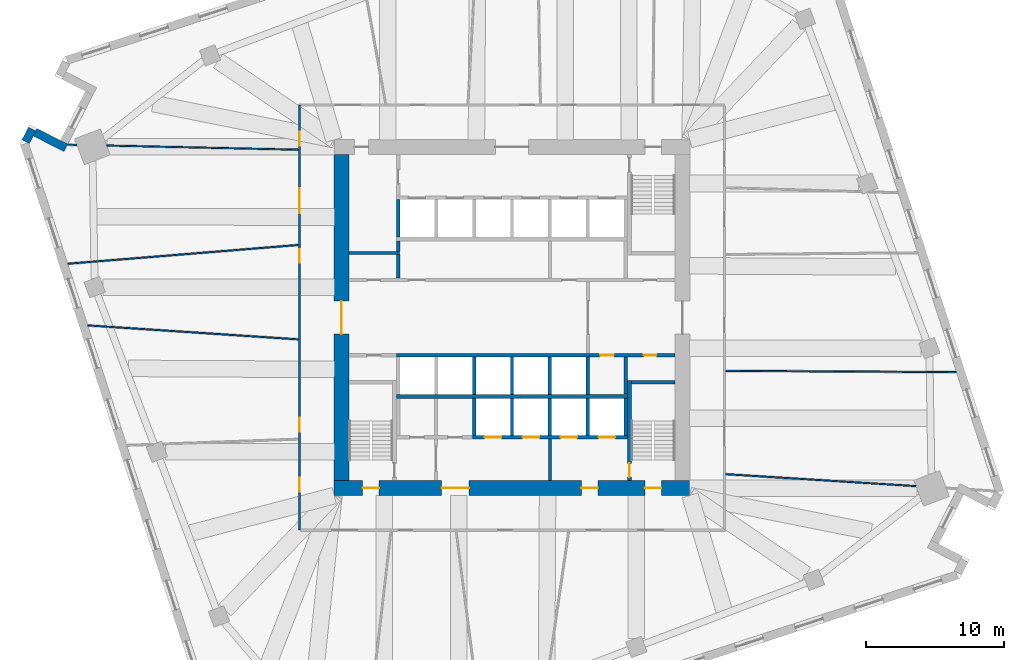
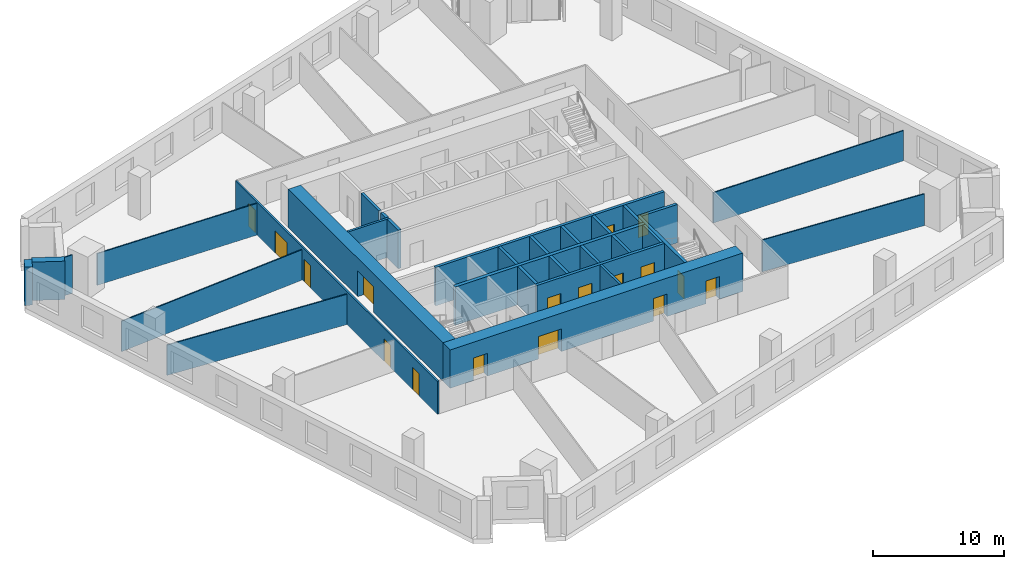
# One storey, part 7 of 12: 32 walls, 17 doors, 17 openings.
"""IFC4 building model written with IfcOpenShell, lengths in metres."""

import ifcopenshell
import ifcopenshell.guid

model = None  # the IFC model being written
_history = None  # IfcOwnerHistory: only IFC2X3 demands one
_inside = {}  # id of a spatial element -> (the spatial element, [elements in it])
_under = {}  # id of a project, library or spatial element -> (it, [spatial elements below it])
_declared = {}  # id of a project -> (the project, [libraries it declares])
_typed = {}  # id of a type object -> (the type object, [elements of that type])
_made_of = {}  # id of a material, layer set ... -> (it, [elements and type objects made of it])


def new_model(schema):
    """Start an empty IFC model of exactly this schema.

    Asked for "IFC4X3", IfcOpenShell would pick the latest addendum, in which some entities
    have other attributes; the version numbers below select the first issue.
    IFC2X3 requires an IfcOwnerHistory on every rooted entity: one is made here for all.
    """
    global model, _history
    if schema == "IFC4X3":
        model = ifcopenshell.file(schema_version=(4, 3, 0, 0))
    else:
        model = ifcopenshell.file(schema=schema)
    _inside.clear()
    _under.clear()
    _declared.clear()
    _typed.clear()
    _made_of.clear()
    _history = None
    if model.schema == "IFC2X3":
        org = make("IfcOrganization", Name="unknown")
        user = make(
            "IfcPersonAndOrganization",
            ThePerson=make("IfcPerson", FamilyName="unknown"),
            TheOrganization=org,
        )
        app = make(
            "IfcApplication",
            ApplicationDeveloper=org,
            Version="unknown",
            ApplicationFullName="unknown",
            ApplicationIdentifier="unknown",
        )
        _history = make(
            "IfcOwnerHistory",
            OwningUser=user,
            OwningApplication=app,
            ChangeAction="ADDED",
            CreationDate=0,
        )
    return model


def make(cls, **values):
    """One entity of the class cls with the attributes given. An attribute that is None is left unset."""
    return model.create_entity(
        cls, **{name: value for name, value in values.items() if value is not None}
    )


def rooted(cls, **values):
    """An entity with a GlobalId (a new one), such as an element, a storey or a relation."""
    return make(cls, GlobalId=ifcopenshell.guid.new(), OwnerHistory=_history, **values)


def si_unit(unit_type, name, prefix=None):
    """IfcSIUnit, for example si_unit("LENGTHUNIT", "METRE", prefix="MILLI")."""
    return make("IfcSIUnit", UnitType=unit_type, Prefix=prefix, Name=name)


def assignment(units):
    """IfcUnitAssignment: the units of a project."""
    return None if units is None else make("IfcUnitAssignment", Units=units)


def point(xyz):
    """IfcCartesianPoint."""
    return None if xyz is None else make("IfcCartesianPoint", Coordinates=xyz)


def direction(xyz):
    """IfcDirection."""
    return None if xyz is None else make("IfcDirection", DirectionRatios=xyz)


def frame(location, z_axis=None, x_axis=None):
    """IfcAxis2Placement3D, a coordinate frame: its origin and axes. An axis left out is left unset."""
    return make(
        "IfcAxis2Placement3D",
        Location=point(location),
        Axis=direction(z_axis),
        RefDirection=direction(x_axis),
    )


def frame_2d(location, x_axis=None):
    """IfcAxis2Placement2D, a coordinate frame in the plane: its origin and x axis."""
    return make(
        "IfcAxis2Placement2D", Location=point(location), RefDirection=direction(x_axis)
    )


def origin():
    """The frame at (0, 0, 0) with its axes left unset."""
    return frame((0.0, 0.0, 0.0))


def place(relative_to, where):
    """IfcLocalPlacement: puts the frame where relative to a parent placement (None: the world)."""
    return make(
        "IfcLocalPlacement", PlacementRelTo=relative_to, RelativePlacement=where
    )


def context(
    kind, dimensions, precision=None, world=None, true_north=None, identifier=None
):
    """IfcGeometricRepresentationContext, for example the 3D "Model" context."""
    return make(
        "IfcGeometricRepresentationContext",
        ContextIdentifier=identifier,
        ContextType=kind,
        CoordinateSpaceDimension=dimensions,
        Precision=precision,
        WorldCoordinateSystem=world,
        TrueNorth=true_north,
    )


def subcontext(parent, identifier, kind, view, scale=None):
    """IfcGeometricRepresentationSubContext, for example "Body" below "Model"."""
    return make(
        "IfcGeometricRepresentationSubContext",
        ContextIdentifier=identifier,
        ContextType=kind,
        ParentContext=parent,
        TargetScale=scale,
        TargetView=view,
    )


def project(units=None, contexts=None):
    """IfcProject with its units and contexts."""
    return rooted(
        "IfcProject",
        Name="project",
        RepresentationContexts=contexts,
        UnitsInContext=assignment(units),
    )


def spatial(cls, under=None, at=None, **own):
    """A site, building, storey or space (cls), placed at a placement, below another one or the project."""
    s = rooted(cls, ObjectPlacement=at, **own)
    if under is not None:
        _under.setdefault(under.id(), (under, []))[1].append(s)
    return s


def profile(cls, at=None, kind="AREA", **sizes):
    """A parametric profile (cls). Its sizes go by their IFC names, for example OverallWidth=200.0."""
    return make(cls, ProfileType=kind, Position=at, **sizes)


def rectangle(**sizes):
    """IfcRectangleProfileDef."""
    return profile("IfcRectangleProfileDef", **sizes)


def extrude(swept, where, along, depth):
    """IfcExtrudedAreaSolid: the profile swept, set in the frame where, extruded along a direction by depth."""
    return make(
        "IfcExtrudedAreaSolid",
        SweptArea=swept,
        Position=where,
        ExtrudedDirection=direction(along),
        Depth=depth,
    )


def shape(context_of_items, identifier, shape_type, items):
    """IfcShapeRepresentation: the items that make up one representation, for example the "Body"."""
    return make(
        "IfcShapeRepresentation",
        ContextOfItems=context_of_items,
        RepresentationIdentifier=identifier,
        RepresentationType=shape_type,
        Items=items,
    )


def material(Name=None, Category=None):
    """IfcMaterial."""
    return make("IfcMaterial", Name=Name, Category=Category)


def layer(
    of_material, thickness, ventilated=None, Name=None, Category=None, Priority=None
):
    """IfcMaterialLayer: one layer of a wall or slab, of a material (None: an air gap)."""
    return make(
        "IfcMaterialLayer",
        Material=of_material,
        LayerThickness=thickness,
        IsVentilated=ventilated,
        Name=Name,
        Category=Category,
        Priority=Priority,
    )


def layer_set(layers, Name=None):
    """IfcMaterialLayerSet."""
    return make("IfcMaterialLayerSet", MaterialLayers=layers, LayerSetName=Name)


def made_of(thing, what):
    """Note that an element or type object is made of a material, layer set ...; save() writes the relation."""
    if what is not None:
        _made_of.setdefault(what.id(), (what, []))[1].append(thing)
    return thing


def type_object(cls, material=None, **own):
    """A type object (cls), such as IfcWallType, which elements share."""
    return made_of(rooted(cls, **own), material)


def element(
    cls,
    number,
    at=None,
    inside=None,
    cuts=None,
    type_object=None,
    material=None,
    context=None,
    identifier="Body",
    shape_type=None,
    held_by="IfcProductDefinitionShape",
    body=None,
    shapes=None,
    **own,
):
    """One element of the class cls, such as IfcWall. Its Tag is "e" and its number.

    at: its placement. inside: the storey or other place that contains it. cuts: it is an
    opening in that element (IfcRelVoidsElement). A single representation is given by context,
    identifier, shape_type and body (its items); several are given by shapes. held_by: the class
    of the entity that holds the representations. save() writes the other relations.
    """
    e = rooted(cls, Tag="e%d" % number, ObjectPlacement=at, **own)
    if body is not None:
        shapes = [shape(context, identifier, shape_type, body)]
    if shapes is not None:
        e.Representation = make(held_by, Representations=shapes)
    if inside is not None:
        _inside.setdefault(inside.id(), (inside, []))[1].append(e)
    if cuts is not None:
        rooted(
            "IfcRelVoidsElement", RelatingBuildingElement=cuts, RelatedOpeningElement=e
        )
    if type_object is not None:
        _typed.setdefault(type_object.id(), (type_object, []))[1].append(e)
    return made_of(e, material)


def fill(opening, filler):
    """IfcRelFillsElement: the door or window that sits in an opening."""
    return rooted(
        "IfcRelFillsElement",
        RelatingOpeningElement=opening,
        RelatedBuildingElement=filler,
    )


def aggregate(whole, parts):
    """IfcRelAggregates: a whole, such as a stair, and the parts it consists of."""
    return rooted("IfcRelAggregates", RelatingObject=whole, RelatedObjects=parts)


def save(model, path):
    """Write the relations noted so far, then the file.

    IfcRelAggregates (storeys below a building ...), IfcRelContainedInSpatialStructure (elements
    in a storey), IfcRelDefinesByType, IfcRelAssociatesMaterial and IfcRelDeclares: one each for
    every whole, place, type object, material and project.
    """
    for whole, parts in _under.values():
        aggregate(whole, parts)
    for where, things in _inside.values():
        rooted(
            "IfcRelContainedInSpatialStructure",
            RelatedElements=things,
            RelatingStructure=where,
        )
    for kind, things in _typed.values():
        rooted("IfcRelDefinesByType", RelatedObjects=things, RelatingType=kind)
    for what, things in _made_of.values():
        rooted("IfcRelAssociatesMaterial", RelatedObjects=things, RelatingMaterial=what)
    for by, libraries in _declared.values():
        rooted("IfcRelDeclares", RelatingContext=by, RelatedDefinitions=libraries)
    model.write(path)


model = new_model("IFC4")

# Units and contexts
model_context = context("Model", 3, precision=1e-05, world=origin(), true_north=direction((0.0, 1.0)))
body_context = subcontext(model_context, "Body", "Model", "MODEL_VIEW")
ifc_project = project(units=[si_unit("LENGTHUNIT", "METRE"), si_unit("AREAUNIT", "SQUARE_METRE"), si_unit("VOLUMEUNIT", "CUBIC_METRE"), si_unit("PLANEANGLEUNIT", "RADIAN"), si_unit("MASSUNIT", "GRAM", prefix="KILO")], contexts=[model_context])

# Site, building, storey
site_placement = place(None, origin())
site = spatial("IfcSite", under=ifc_project, at=site_placement, CompositionType="ELEMENT")
building_placement = place(site_placement, origin())
building = spatial("IfcBuilding", under=site, at=building_placement, Name="Dilmun Exchange Tower", CompositionType="ELEMENT")
storey_placement = place(building_placement, frame((0.0, 0.0, 94.10009765625)))
storey = spatial("IfcBuildingStorey", under=building, at=storey_placement, Name="L21", CompositionType="ELEMENT", Elevation=94.10009765625)

# Walls
ifc_material_1 = material(Name="Concrete C40/50", Category="concrete")
ifc_layer_1 = layer(ifc_material_1, 0.199951171875)
ifc_layer_set_1 = layer_set([ifc_layer_1], Name="Concrete C40/50")
wall_type_1 = type_object("IfcWallType", Name="Core partition wall 200", PredefinedType="PARTITIONING", material=ifc_layer_set_1)
wall_1_placement = place(storey_placement, frame((2.75, -11.794921875, 0.0), z_axis=(0.0, 0.0, 1.0), x_axis=(0.0, 1.0, 0.0)))
element("IfcWall", 1, at=wall_1_placement, inside=storey, type_object=wall_type_1, Name="L21 core partition wall 02", PredefinedType="PARTITIONING", context=body_context, shape_type="SweptSolid", body=[
    extrude(rectangle(XDim=2.989990234375, YDim=0.199951171875, at=frame_2d((1.4951171875, 0.0))), origin(), (0.0, 0.0, 1.0), 3.579833984375),
])
wall_2_placement = place(storey_placement, frame((-11.794921875, 4.675048828125, 0.0), z_axis=(0.0, 0.0, 1.0), x_axis=(1.0, 0.0, 0.0)))
element("IfcWall", 2, at=wall_2_placement, inside=storey, type_object=wall_type_1, Name="L21 core partition wall 14", PredefinedType="PARTITIONING", context=body_context, shape_type="SweptSolid", body=[
    extrude(rectangle(XDim=3.64501953125, YDim=0.199951171875, at=frame_2d((1.822509765625, 0.0))), origin(), (0.0, 0.0, 1.0), 3.579833984375),
])
ifc_layer_2 = layer(ifc_material_1, 0.25)
ifc_layer_set_2 = layer_set([ifc_layer_2], Name="Concrete C40/50")
wall_type_2 = type_object("IfcWallType", Name="Core partition wall 250", PredefinedType="PARTITIONING", material=ifc_layer_set_2)
wall_3_placement = place(storey_placement, frame((8.25, -5.544921875, 0.0), z_axis=(0.0, 0.0, 1.0), x_axis=(0.0, 1.0, 0.0)))
element("IfcWall", 3, at=wall_3_placement, inside=storey, type_object=wall_type_2, Name="L21 core partition wall 06", PredefinedType="PARTITIONING", context=body_context, shape_type="SweptSolid", body=[
    extrude(rectangle(XDim=2.68994140625, YDim=0.25, at=frame_2d((1.344970703125, 0.0))), origin(), (0.0, 0.0, 1.0), 3.579833984375),
])

# Wall, openings, doors
wall_4_placement = place(storey_placement, frame((5.6298828125, -2.72509765625, 0.0), z_axis=(0.0, 0.0, 1.0), x_axis=(1.0, 0.0, 0.0)))
wall_4 = element("IfcWall", 4, at=wall_4_placement, inside=storey, type_object=wall_type_2, Name="L21 core partition wall 08", PredefinedType="PARTITIONING", context=body_context, shape_type="SweptSolid", body=[
    extrude(rectangle(XDim=6.1650390625, YDim=0.25, at=frame_2d((3.08251953125, 0.0))), origin(), (0.0, 0.0, 1.0), 3.579833984375),
])
opening_1_placement = place(wall_4_placement, frame((0.7451171875, 0.0, 0.0)))
opening_1 = element("IfcOpeningElement", 5, at=opening_1_placement, cuts=wall_4, Name="Opening CD4", PredefinedType="OPENING", context=body_context, shape_type="SweptSolid", body=[
    extrude(rectangle(XDim=1.0, YDim=2.10009765625, at=frame_2d((0.5, 1.050048828125))), frame((0.0, 0.135009765625, 0.0), z_axis=(0.0, -1.0, 0.0), x_axis=(1.0, 0.0, 0.0)), (0.0, 0.0, 1.0), 0.27001953125),
])
opening_2_placement = place(wall_4_placement, frame((3.919921875, 0.0, 0.0)))
opening_2 = element("IfcOpeningElement", 6, at=opening_2_placement, cuts=wall_4, Name="Opening CD6", PredefinedType="OPENING", context=body_context, shape_type="SweptSolid", body=[
    extrude(rectangle(XDim=0.89990234375, YDim=2.10009765625, at=frame_2d((0.449951171875, 1.050048828125))), frame((0.0, 0.135009765625, 0.0), z_axis=(0.0, -1.0, 0.0), x_axis=(1.0, 0.0, 0.0)), (0.0, 0.0, 1.0), 0.27001953125),
])
ifc_material_2 = material(Name="Fire-rated steel door set", Category="steel")
door_type_1 = type_object("IfcDoorType", Name="Core room door 1000x2100", OperationType="SINGLE_SWING_LEFT", PredefinedType="DOOR", material=ifc_material_2)
door_1_placement = place(opening_1_placement, origin())
door_1 = element("IfcDoor", 7, at=door_1_placement, inside=storey, type_object=door_type_1, Name="L21 door Cleaners' store", OperationType="SINGLE_SWING_RIGHT", OverallHeight=2.10009765625, OverallWidth=1.0, PredefinedType="DOOR", context=body_context, shape_type="SweptSolid", body=[
    extrude(rectangle(XDim=1.0, YDim=2.10009765625, at=frame_2d((0.5, 1.050048828125))), frame((0.0, 0.02490234375, 0.0), z_axis=(0.0, -1.0, 0.0), x_axis=(1.0, 0.0, 0.0)), (0.0, 0.0, 1.0), 0.050048828125),
])
fill(opening_1, door_1)
door_type_2 = type_object("IfcDoorType", Name="Core room door 900x2100", OperationType="SINGLE_SWING_LEFT", PredefinedType="DOOR", material=ifc_material_2)
door_2_placement = place(opening_2_placement, origin())
door_2 = element("IfcDoor", 8, at=door_2_placement, inside=storey, type_object=door_type_2, Name="L21 door Comms riser", OperationType="SINGLE_SWING_RIGHT", OverallHeight=2.10009765625, OverallWidth=0.89990234375, PredefinedType="DOOR", context=body_context, shape_type="SweptSolid", body=[
    extrude(rectangle(XDim=0.89990234375, YDim=2.10009765625, at=frame_2d((0.449951171875, 1.050048828125))), frame((0.0, 0.02490234375, 0.0), z_axis=(0.0, -1.0, 0.0), x_axis=(1.0, 0.0, 0.0)), (0.0, 0.0, 1.0), 0.050048828125),
])
fill(opening_2, door_2)

# Walls
wall_5_placement = place(storey_placement, frame((-8.25, 2.85498046875, 0.0), z_axis=(0.0, 0.0, 1.0), x_axis=(0.0, 1.0, 0.0)))
element("IfcWall", 9, at=wall_5_placement, inside=storey, type_object=wall_type_2, Name="L21 core partition wall 11", PredefinedType="PARTITIONING", context=body_context, shape_type="SweptSolid", body=[
    extrude(rectangle(XDim=1.715087890625, YDim=0.25, at=frame_2d((0.857421875, 0.0))), origin(), (0.0, 0.0, 1.0), 3.579833984375),
])
wall_6_placement = place(storey_placement, frame((-8.25, 4.780029296875, 0.0), z_axis=(0.0, 0.0, 1.0), x_axis=(0.0, 1.0, 0.0)))
element("IfcWall", 10, at=wall_6_placement, inside=storey, type_object=wall_type_2, Name="L21 core partition wall 15", PredefinedType="PARTITIONING", context=body_context, shape_type="SweptSolid", body=[
    extrude(rectangle(XDim=0.764892578125, YDim=0.25, at=frame_2d((0.38232421875, 0.0))), origin(), (0.0, 0.0, 1.0), 3.579833984375),
])

# Wall, openings, doors
ifc_material_3 = material(Name="Concrete C80/95", Category="concrete")
ifc_layer_3 = layer(ifc_material_3, 1.10009765625)
ifc_layer_set_3 = layer_set([ifc_layer_3], Name="Concrete C80/95")
wall_type_3 = type_object("IfcWallType", Name="Core shear wall 1100 Concrete C80/95", PredefinedType="SHEAR", material=ifc_layer_set_3)
wall_7_placement = place(storey_placement, frame((-12.89990234375, -12.35009765625, 0.0), z_axis=(0.0, 0.0, 1.0), x_axis=(1.0, 0.0, 0.0)))
wall_7 = element("IfcWall", 11, at=wall_7_placement, inside=storey, type_object=wall_type_3, Name="L21 core shear wall S", PredefinedType="SHEAR", context=body_context, shape_type="SweptSolid", body=[
    extrude(rectangle(XDim=25.7998046875, YDim=1.10009765625, at=frame_2d((12.89990234375, 0.0))), origin(), (0.0, 0.0, 1.0), 3.579833984375),
])
opening_3_placement = place(wall_7_placement, frame((7.800048828125, 0.0, 0.0)))
opening_3 = element("IfcOpeningElement", 12, at=opening_3_placement, cuts=wall_7, Name="Opening CD2", PredefinedType="OPENING", context=body_context, shape_type="SweptSolid", body=[
    extrude(rectangle(XDim=2.0, YDim=2.10009765625, at=frame_2d((1.0, 1.050048828125))), frame((0.0, 0.56005859375, 0.0), z_axis=(0.0, -1.0, 0.0), x_axis=(1.0, 0.0, 0.0)), (0.0, 0.0, 1.0), 1.1201171875),
])
opening_4_placement = place(wall_7_placement, frame((17.925048828125, 0.0, 0.0)))
opening_4 = element("IfcOpeningElement", 13, at=opening_4_placement, cuts=wall_7, Name="Opening CD3", PredefinedType="OPENING", context=body_context, shape_type="SweptSolid", body=[
    extrude(rectangle(XDim=1.199951171875, YDim=2.10009765625, at=frame_2d((0.60009765625, 1.050048828125))), frame((0.0, 0.56005859375, 0.0), z_axis=(0.0, -1.0, 0.0), x_axis=(1.0, 0.0, 0.0)), (0.0, 0.0, 1.0), 1.1201171875),
])
opening_5_placement = place(wall_7_placement, frame((2.074951171875, 0.0, 0.0)))
opening_5 = element("IfcOpeningElement", 14, at=opening_5_placement, cuts=wall_7, Name="Opening CD3", PredefinedType="OPENING", context=body_context, shape_type="SweptSolid", body=[
    extrude(rectangle(XDim=1.199951171875, YDim=2.10009765625, at=frame_2d((0.60009765625, 1.050048828125))), frame((0.0, 0.56005859375, 0.0), z_axis=(0.0, -1.0, 0.0), x_axis=(1.0, 0.0, 0.0)), (0.0, 0.0, 1.0), 1.1201171875),
])
opening_6_placement = place(wall_7_placement, frame((22.52490234375, 0.0, 0.0)))
opening_6 = element("IfcOpeningElement", 15, at=opening_6_placement, cuts=wall_7, Name="Opening CD3", PredefinedType="OPENING", context=body_context, shape_type="SweptSolid", body=[
    extrude(rectangle(XDim=1.199951171875, YDim=2.10009765625, at=frame_2d((0.60009765625, 1.050048828125))), frame((0.0, 0.56005859375, 0.0), z_axis=(0.0, -1.0, 0.0), x_axis=(1.0, 0.0, 0.0)), (0.0, 0.0, 1.0), 1.1201171875),
])
door_type_3 = type_object("IfcDoorType", Name="Core service door 2000x2100", OperationType="DOUBLE_DOOR_DOUBLE_SWING", PredefinedType="DOOR", material=ifc_material_2)
door_3_placement = place(opening_3_placement, origin())
door_3 = element("IfcDoor", 16, at=door_3_placement, inside=storey, type_object=door_type_3, Name="L21 door South service lobby", OperationType="SINGLE_SWING_LEFT", OverallHeight=2.10009765625, OverallWidth=2.0, PredefinedType="DOOR", context=body_context, shape_type="SweptSolid", body=[
    extrude(rectangle(XDim=2.0, YDim=2.10009765625, at=frame_2d((1.0, 1.050048828125))), frame((0.0, 0.02490234375, 0.0), z_axis=(0.0, -1.0, 0.0), x_axis=(1.0, 0.0, 0.0)), (0.0, 0.0, 1.0), 0.050048828125),
])
fill(opening_3, door_3)
door_type_4 = type_object("IfcDoorType", Name="Stair exit door 1200x2100", OperationType="SINGLE_SWING_LEFT", PredefinedType="DOOR", material=ifc_material_2)
door_4_placement = place(opening_4_placement, origin())
door_4 = element("IfcDoor", 17, at=door_4_placement, inside=storey, type_object=door_type_4, Name="L21 door Fire-fighting lobby", OperationType="SINGLE_SWING_LEFT", OverallHeight=2.10009765625, OverallWidth=1.199951171875, PredefinedType="DOOR", context=body_context, shape_type="SweptSolid", body=[
    extrude(rectangle(XDim=1.199951171875, YDim=2.10009765625, at=frame_2d((0.60009765625, 1.050048828125))), frame((0.0, 0.02490234375, 0.0), z_axis=(0.0, -1.0, 0.0), x_axis=(1.0, 0.0, 0.0)), (0.0, 0.0, 1.0), 0.050048828125),
])
fill(opening_4, door_4)
door_5_placement = place(opening_5_placement, origin())
door_5 = element("IfcDoor", 18, at=door_5_placement, inside=storey, type_object=door_type_4, Name="L21 door Stair ST2", OperationType="SINGLE_SWING_LEFT", OverallHeight=2.10009765625, OverallWidth=1.199951171875, PredefinedType="DOOR", context=body_context, shape_type="SweptSolid", body=[
    extrude(rectangle(XDim=1.199951171875, YDim=2.10009765625, at=frame_2d((0.60009765625, 1.050048828125))), frame((0.0, 0.02490234375, 0.0), z_axis=(0.0, -1.0, 0.0), x_axis=(1.0, 0.0, 0.0)), (0.0, 0.0, 1.0), 0.050048828125),
])
fill(opening_5, door_5)
door_6_placement = place(opening_6_placement, origin())
door_6 = element("IfcDoor", 19, at=door_6_placement, inside=storey, type_object=door_type_4, Name="L21 door Stair ST3", OperationType="SINGLE_SWING_LEFT", OverallHeight=2.10009765625, OverallWidth=1.199951171875, PredefinedType="DOOR", context=body_context, shape_type="SweptSolid", body=[
    extrude(rectangle(XDim=1.199951171875, YDim=2.10009765625, at=frame_2d((0.60009765625, 1.050048828125))), frame((0.0, 0.02490234375, 0.0), z_axis=(0.0, -1.0, 0.0), x_axis=(1.0, 0.0, 0.0)), (0.0, 0.0, 1.0), 0.050048828125),
])
fill(opening_6, door_6)

# Wall, opening, door
wall_8_placement = place(storey_placement, frame((-12.35009765625, -11.800048828125, 0.0), z_axis=(0.0, 0.0, 1.0), x_axis=(0.0, 1.0, 0.0)))
wall_8 = element("IfcWall", 20, at=wall_8_placement, inside=storey, type_object=wall_type_3, Name="L21 core shear wall W", PredefinedType="SHEAR", context=body_context, shape_type="SweptSolid", body=[
    extrude(rectangle(XDim=23.60009765625, YDim=1.10009765625, at=frame_2d((11.800048828125, 0.0))), origin(), (0.0, 0.0, 1.0), 3.579833984375),
])
opening_7_placement = place(wall_8_placement, frame((10.60009765625, 0.0, 0.0)))
opening_7 = element("IfcOpeningElement", 21, at=opening_7_placement, cuts=wall_8, Name="Opening CD1", PredefinedType="OPENING", context=body_context, shape_type="SweptSolid", body=[
    extrude(rectangle(XDim=2.39990234375, YDim=2.39990234375, at=frame_2d((1.199951171875, 1.199951171875))), frame((0.0, 0.56005859375, 0.0), z_axis=(0.0, -1.0, 0.0), x_axis=(1.0, 0.0, 0.0)), (0.0, 0.0, 1.0), 1.1201171875),
])
door_type_5 = type_object("IfcDoorType", Name="Core lobby door 2400x2400", OperationType="DOUBLE_DOOR_DOUBLE_SWING", PredefinedType="DOOR", material=ifc_material_2)
door_7_placement = place(opening_7_placement, origin())
door_7 = element("IfcDoor", 22, at=door_7_placement, inside=storey, type_object=door_type_5, Name="L21 door Central lift lobby", OperationType="SINGLE_SWING_LEFT", OverallHeight=2.39990234375, OverallWidth=2.39990234375, PredefinedType="DOOR", context=body_context, shape_type="SweptSolid", body=[
    extrude(rectangle(XDim=2.39990234375, YDim=2.39990234375, at=frame_2d((1.199951171875, 1.199951171875))), frame((0.0, 0.02490234375, 0.0), z_axis=(0.0, -1.0, 0.0), x_axis=(1.0, 0.0, 0.0)), (0.0, 0.0, 1.0), 0.050048828125),
])
fill(opening_7, door_7)

# Wall, openings, doors
ifc_material_4 = material(Name="Corridor wall 150")
ifc_layer_4 = layer(ifc_material_4, 0.14990234375)
ifc_layer_set_4 = layer_set([ifc_layer_4], Name="Corridor wall 150")
wall_type_4 = type_object("IfcWallType", Name="Corridor wall 150", PredefinedType="PARTITIONING", material=ifc_layer_set_4)
wall_9_placement = place(storey_placement, frame((-15.39990234375, -15.39990234375, 0.0), z_axis=(0.0, 0.0, 1.0), x_axis=(0.0, 1.0, 0.0)))
wall_9 = element("IfcWall", 23, at=wall_9_placement, inside=storey, type_object=wall_type_4, Name="Corridor wall", PredefinedType="PARTITIONING", context=body_context, shape_type="SweptSolid", body=[
    extrude(rectangle(XDim=30.7998046875, YDim=0.14990234375, at=frame_2d((15.39990234375, 0.0))), origin(), (0.0, 0.0, 1.0), 3.079833984375),
])
opening_8_placement = place(wall_9_placement, frame((22.967041015625, 0.0, 0.0)))
opening_8 = element("IfcOpeningElement", 24, at=opening_8_placement, cuts=wall_9, Name="Opening TF20-D01", PredefinedType="OPENING", context=body_context, shape_type="SweptSolid", body=[
    extrude(rectangle(XDim=1.800048828125, YDim=2.10009765625, at=frame_2d((0.89990234375, 1.050048828125))), frame((0.0, 0.0849609375, 0.0), z_axis=(0.0, -1.0, 0.0), x_axis=(1.0, 0.0, 0.0)), (0.0, 0.0, 1.0), 0.169921875),
])
opening_9_placement = place(wall_9_placement, frame((19.369873046875, 0.0, 0.0)))
opening_9 = element("IfcOpeningElement", 25, at=opening_9_placement, cuts=wall_9, Name="Opening TF20-D02", PredefinedType="OPENING", context=body_context, shape_type="SweptSolid", body=[
    extrude(rectangle(XDim=1.0, YDim=2.10009765625, at=frame_2d((0.5, 1.050048828125))), frame((0.0, 0.0849609375, 0.0), z_axis=(0.0, -1.0, 0.0), x_axis=(1.0, 0.0, 0.0)), (0.0, 0.0, 1.0), 0.169921875),
])
opening_10_placement = place(wall_9_placement, frame((7.150390625, 0.0, 0.0)))
opening_10 = element("IfcOpeningElement", 26, at=opening_10_placement, cuts=wall_9, Name="Opening TF20-D03", PredefinedType="OPENING", context=body_context, shape_type="SweptSolid", body=[
    extrude(rectangle(XDim=1.0, YDim=2.10009765625, at=frame_2d((0.5, 1.050048828125))), frame((0.0, 0.0849609375, 0.0), z_axis=(0.0, -1.0, 0.0), x_axis=(1.0, 0.0, 0.0)), (0.0, 0.0, 1.0), 0.169921875),
])
opening_11_placement = place(wall_9_placement, frame((27.86328125, 0.0, 0.0)))
opening_11 = element("IfcOpeningElement", 27, at=opening_11_placement, cuts=wall_9, Name="Opening TF20-D05", PredefinedType="OPENING", context=body_context, shape_type="SweptSolid", body=[
    extrude(rectangle(XDim=1.0, YDim=2.10009765625, at=frame_2d((0.5, 1.050048828125))), frame((0.0, 0.0849609375, 0.0), z_axis=(0.0, -1.0, 0.0), x_axis=(1.0, 0.0, 0.0)), (0.0, 0.0, 1.0), 0.169921875),
])
opening_12_placement = place(wall_9_placement, frame((2.800048828125, 0.0, 0.0)))
opening_12 = element("IfcOpeningElement", 28, at=opening_12_placement, cuts=wall_9, Name="Opening TF20-D07", PredefinedType="OPENING", context=body_context, shape_type="SweptSolid", body=[
    extrude(rectangle(XDim=1.0, YDim=2.10009765625, at=frame_2d((0.5, 1.050048828125))), frame((0.0, 0.0849609375, 0.0), z_axis=(0.0, -1.0, 0.0), x_axis=(1.0, 0.0, 0.0)), (0.0, 0.0, 1.0), 0.169921875),
])
ifc_material_5 = material(Name="Fire door 1000 x 2100")
door_type_6 = type_object("IfcDoorType", Name="Fire door 1000 x 2100", OperationType="NOTDEFINED", PredefinedType="DOOR", material=ifc_material_5)
door_8_placement = place(opening_9_placement, origin())
door_8 = element("IfcDoor", 29, at=door_8_placement, inside=storey, type_object=door_type_6, Name="Door TF20-D02", OperationType="SINGLE_SWING_RIGHT", OverallHeight=2.10009765625, OverallWidth=1.0, PredefinedType="DOOR", context=body_context, shape_type="SweptSolid", body=[
    extrude(rectangle(XDim=1.0, YDim=2.10009765625, at=frame_2d((0.5, 1.050048828125))), frame((0.0, 0.02490234375, 0.0), z_axis=(0.0, -1.0, 0.0), x_axis=(1.0, 0.0, 0.0)), (0.0, 0.0, 1.0), 0.050048828125),
])
fill(opening_9, door_8)
door_9_placement = place(opening_10_placement, origin())
door_9 = element("IfcDoor", 30, at=door_9_placement, inside=storey, type_object=door_type_6, Name="Door TF20-D03", OperationType="SINGLE_SWING_LEFT", OverallHeight=2.10009765625, OverallWidth=1.0, PredefinedType="DOOR", context=body_context, shape_type="SweptSolid", body=[
    extrude(rectangle(XDim=1.0, YDim=2.10009765625, at=frame_2d((0.5, 1.050048828125))), frame((0.0, 0.02490234375, 0.0), z_axis=(0.0, -1.0, 0.0), x_axis=(1.0, 0.0, 0.0)), (0.0, 0.0, 1.0), 0.050048828125),
])
fill(opening_10, door_9)
door_10_placement = place(opening_11_placement, origin())
door_10 = element("IfcDoor", 31, at=door_10_placement, inside=storey, type_object=door_type_6, Name="Door TF20-D05", OperationType="SINGLE_SWING_RIGHT", OverallHeight=2.10009765625, OverallWidth=1.0, PredefinedType="DOOR", context=body_context, shape_type="SweptSolid", body=[
    extrude(rectangle(XDim=1.0, YDim=2.10009765625, at=frame_2d((0.5, 1.050048828125))), frame((0.0, 0.02490234375, 0.0), z_axis=(0.0, -1.0, 0.0), x_axis=(1.0, 0.0, 0.0)), (0.0, 0.0, 1.0), 0.050048828125),
])
fill(opening_11, door_10)
door_11_placement = place(opening_12_placement, origin())
door_11 = element("IfcDoor", 32, at=door_11_placement, inside=storey, type_object=door_type_6, Name="Door TF20-D07", OperationType="SINGLE_SWING_RIGHT", OverallHeight=2.10009765625, OverallWidth=1.0, PredefinedType="DOOR", context=body_context, shape_type="SweptSolid", body=[
    extrude(rectangle(XDim=1.0, YDim=2.10009765625, at=frame_2d((0.5, 1.050048828125))), frame((0.0, 0.02490234375, 0.0), z_axis=(0.0, -1.0, 0.0), x_axis=(1.0, 0.0, 0.0)), (0.0, 0.0, 1.0), 0.050048828125),
])
fill(opening_12, door_11)
ifc_material_6 = material(Name="Fire door pair 1800 x 2100")
door_type_7 = type_object("IfcDoorType", Name="Fire door pair 1800 x 2100", OperationType="NOTDEFINED", PredefinedType="DOOR", material=ifc_material_6)
door_12_placement = place(opening_8_placement, origin())
door_12 = element("IfcDoor", 33, at=door_12_placement, inside=storey, type_object=door_type_7, Name="Door TF20-D01", OperationType="DOUBLE_DOOR_SINGLE_SWING", OverallHeight=2.10009765625, OverallWidth=1.800048828125, PredefinedType="DOOR", context=body_context, shape_type="SweptSolid", body=[
    extrude(rectangle(XDim=1.800048828125, YDim=2.10009765625, at=frame_2d((0.89990234375, 1.050048828125))), frame((0.0, 0.02490234375, 0.0), z_axis=(0.0, -1.0, 0.0), x_axis=(1.0, 0.0, 0.0)), (0.0, 0.0, 1.0), 0.050048828125),
])
fill(opening_8, door_12)

# Walls
ifc_layer_5 = layer(ifc_material_1, 0.300048828125)
ifc_layer_set_5 = layer_set([ifc_layer_5], Name="Concrete C40/50")
wall_type_5 = type_object("IfcWallType", Name="Lift shaft shared wall 300", PredefinedType="SOLIDWALL", material=ifc_layer_set_5)
wall_10_placement = place(storey_placement, frame((-8.375, -5.699951171875, 0.0), z_axis=(0.0, 0.0, 1.0), x_axis=(1.0, 0.0, 0.0)))
element("IfcWall", 34, at=wall_10_placement, inside=storey, type_object=wall_type_5, Name="L21 lift shaft rear wall S", PredefinedType="SOLIDWALL", context=body_context, shape_type="SweptSolid", body=[
    extrude(rectangle(XDim=16.75, YDim=0.300048828125, at=frame_2d((8.375, 0.0))), origin(), (0.0, 0.0, 1.0), 3.579833984375),
])
ifc_layer_6 = layer(ifc_material_1, 0.25)
ifc_layer_set_6 = layer_set([ifc_layer_6], Name="Concrete C40/50")
wall_type_6 = type_object("IfcWallType", Name="Lift shaft wall 250", PredefinedType="SOLIDWALL", material=ifc_layer_set_6)
wall_11_placement = place(storey_placement, frame((-8.25, 5.85009765625, 0.0), z_axis=(0.0, 0.0, 1.0), x_axis=(0.0, 1.0, 0.0)))
element("IfcWall", 35, at=wall_11_placement, inside=storey, type_object=wall_type_6, Name="L21 lift shaft divider N20", PredefinedType="SOLIDWALL", context=body_context, shape_type="SweptSolid", body=[
    extrude(rectangle(XDim=2.699951171875, YDim=0.25, at=frame_2d((1.35009765625, 0.0))), origin(), (0.0, 0.0, 1.0), 3.579833984375),
])
wall_12_placement = place(storey_placement, frame((-8.375, -2.72509765625, 0.0), z_axis=(0.0, 0.0, 1.0), x_axis=(1.0, 0.0, 0.0)))
element("IfcWall", 36, at=wall_12_placement, inside=storey, type_object=wall_type_6, Name="L21 lift shaft front wall S1", PredefinedType="SOLIDWALL", context=body_context, shape_type="SweptSolid", body=[
    extrude(rectangle(XDim=14.0, YDim=0.25, at=frame_2d((7.0, 0.0))), origin(), (0.0, 0.0, 1.0), 3.579833984375),
])
for number, where, z_axis, x_axis, name in (
    (37, (-2.75, -5.550048828125, 0.0), (0.0, 0.0, 1.0), (0.0, 1.0, 0.0), "L21 lift shaft divider S12"),
    (38, (0.0, -5.550048828125, 0.0), (0.0, 0.0, 1.0), (0.0, 1.0, 0.0), "L21 lift shaft divider S13"),
    (39, (2.75, -5.550048828125, 0.0), (0.0, 0.0, 1.0), (0.0, 1.0, 0.0), "L21 lift shaft divider S14"),
    (40, (5.5, -5.550048828125, 0.0), (0.0, 0.0, 1.0), (0.0, 1.0, 0.0), "L21 lift shaft divider S15"),
):
    element("IfcWall", number, at=place(storey_placement, frame(where, z_axis=z_axis, x_axis=x_axis)), inside=storey, type_object=wall_type_6, Name=name, PredefinedType="SOLIDWALL", context=body_context, shape_type="SweptSolid", body=[
        extrude(rectangle(XDim=2.699951171875, YDim=0.25, at=frame_2d((1.35009765625, 0.0))), origin(), (0.0, 0.0, 1.0), 3.579833984375),
    ])

# Wall, openings, doors
wall_13_placement = place(storey_placement, frame((-2.875, -8.675048828125, 0.0), z_axis=(0.0, 0.0, 1.0), x_axis=(1.0, 0.0, 0.0)))
wall_13 = element("IfcWall", 41, at=wall_13_placement, inside=storey, type_object=wall_type_6, Name="L21 lift shaft front wall S2", PredefinedType="SOLIDWALL", context=body_context, shape_type="SweptSolid", body=[
    extrude(rectangle(XDim=11.25, YDim=0.25, at=frame_2d((5.625, 0.0))), origin(), (0.0, 0.0, 1.0), 3.579833984375),
])
opening_13_placement = place(wall_13_placement, frame((0.89990234375, 0.0, 0.0)))
opening_13 = element("IfcOpeningElement", 42, at=opening_13_placement, cuts=wall_13, Name="Opening LD", PredefinedType="OPENING", context=body_context, shape_type="SweptSolid", body=[
    extrude(rectangle(XDim=1.199951171875, YDim=2.10009765625, at=frame_2d((0.60009765625, 1.050048828125))), frame((0.0, 0.135009765625, 0.0), z_axis=(0.0, -1.0, 0.0), x_axis=(1.0, 0.0, 0.0)), (0.0, 0.0, 1.0), 0.27001953125),
])
opening_14_placement = place(wall_13_placement, frame((3.64990234375, 0.0, 0.0)))
opening_14 = element("IfcOpeningElement", 43, at=opening_14_placement, cuts=wall_13, Name="Opening LD", PredefinedType="OPENING", context=body_context, shape_type="SweptSolid", body=[
    extrude(rectangle(XDim=1.199951171875, YDim=2.10009765625, at=frame_2d((0.60009765625, 1.050048828125))), frame((0.0, 0.135009765625, 0.0), z_axis=(0.0, -1.0, 0.0), x_axis=(1.0, 0.0, 0.0)), (0.0, 0.0, 1.0), 0.27001953125),
])
opening_15_placement = place(wall_13_placement, frame((6.39990234375, 0.0, 0.0)))
opening_15 = element("IfcOpeningElement", 44, at=opening_15_placement, cuts=wall_13, Name="Opening LD", PredefinedType="OPENING", context=body_context, shape_type="SweptSolid", body=[
    extrude(rectangle(XDim=1.199951171875, YDim=2.10009765625, at=frame_2d((0.60009765625, 1.050048828125))), frame((0.0, 0.135009765625, 0.0), z_axis=(0.0, -1.0, 0.0), x_axis=(1.0, 0.0, 0.0)), (0.0, 0.0, 1.0), 0.27001953125),
])
opening_16_placement = place(wall_13_placement, frame((9.14990234375, 0.0, 0.0)))
opening_16 = element("IfcOpeningElement", 45, at=opening_16_placement, cuts=wall_13, Name="Opening LD", PredefinedType="OPENING", context=body_context, shape_type="SweptSolid", body=[
    extrude(rectangle(XDim=1.199951171875, YDim=2.10009765625, at=frame_2d((0.60009765625, 1.050048828125))), frame((0.0, 0.135009765625, 0.0), z_axis=(0.0, -1.0, 0.0), x_axis=(1.0, 0.0, 0.0)), (0.0, 0.0, 1.0), 0.27001953125),
])
door_type_8 = type_object("IfcDoorType", Name="Lift landing door 1200x2100", OperationType="DOUBLE_DOOR_SLIDING", PredefinedType="DOOR", material=ifc_material_2)
door_13_placement = place(opening_13_placement, origin())
door_13 = element("IfcDoor", 46, at=door_13_placement, inside=storey, type_object=door_type_8, Name="L21 landing door SV1", OperationType="DOUBLE_DOOR_SLIDING", OverallHeight=2.10009765625, OverallWidth=1.199951171875, PredefinedType="DOOR", context=body_context, shape_type="SweptSolid", body=[
    extrude(rectangle(XDim=1.199951171875, YDim=2.10009765625, at=frame_2d((0.60009765625, 1.050048828125))), frame((0.0, 0.02490234375, 0.0), z_axis=(0.0, -1.0, 0.0), x_axis=(1.0, 0.0, 0.0)), (0.0, 0.0, 1.0), 0.050048828125),
])
fill(opening_13, door_13)
door_14_placement = place(opening_14_placement, origin())
door_14 = element("IfcDoor", 47, at=door_14_placement, inside=storey, type_object=door_type_8, Name="L21 landing door SV2", OperationType="DOUBLE_DOOR_SLIDING", OverallHeight=2.10009765625, OverallWidth=1.199951171875, PredefinedType="DOOR", context=body_context, shape_type="SweptSolid", body=[
    extrude(rectangle(XDim=1.199951171875, YDim=2.10009765625, at=frame_2d((0.60009765625, 1.050048828125))), frame((0.0, 0.02490234375, 0.0), z_axis=(0.0, -1.0, 0.0), x_axis=(1.0, 0.0, 0.0)), (0.0, 0.0, 1.0), 0.050048828125),
])
fill(opening_14, door_14)
door_15_placement = place(opening_15_placement, origin())
door_15 = element("IfcDoor", 48, at=door_15_placement, inside=storey, type_object=door_type_8, Name="L21 landing door FF1", OperationType="DOUBLE_DOOR_SLIDING", OverallHeight=2.10009765625, OverallWidth=1.199951171875, PredefinedType="DOOR", context=body_context, shape_type="SweptSolid", body=[
    extrude(rectangle(XDim=1.199951171875, YDim=2.10009765625, at=frame_2d((0.60009765625, 1.050048828125))), frame((0.0, 0.02490234375, 0.0), z_axis=(0.0, -1.0, 0.0), x_axis=(1.0, 0.0, 0.0)), (0.0, 0.0, 1.0), 0.050048828125),
])
fill(opening_15, door_15)
door_16_placement = place(opening_16_placement, origin())
door_16 = element("IfcDoor", 49, at=door_16_placement, inside=storey, type_object=door_type_8, Name="L21 landing door FF2", OperationType="DOUBLE_DOOR_SLIDING", OverallHeight=2.10009765625, OverallWidth=1.199951171875, PredefinedType="DOOR", context=body_context, shape_type="SweptSolid", body=[
    extrude(rectangle(XDim=1.199951171875, YDim=2.10009765625, at=frame_2d((0.60009765625, 1.050048828125))), frame((0.0, 0.02490234375, 0.0), z_axis=(0.0, -1.0, 0.0), x_axis=(1.0, 0.0, 0.0)), (0.0, 0.0, 1.0), 0.050048828125),
])
fill(opening_16, door_16)

# Walls
for number, where, z_axis, x_axis, name in (
    (50, (-2.75, -8.550048828125, 0.0), (0.0, 0.0, 1.0), (0.0, 1.0, 0.0), "L21 lift shaft divider S22"),
    (51, (0.0, -8.550048828125, 0.0), (0.0, 0.0, 1.0), (0.0, 1.0, 0.0), "L21 lift shaft divider S23"),
    (52, (2.75, -8.550048828125, 0.0), (0.0, 0.0, 1.0), (0.0, 1.0, 0.0), "L21 lift shaft divider S24"),
    (53, (5.5, -8.550048828125, 0.0), (0.0, 0.0, 1.0), (0.0, 1.0, 0.0), "L21 lift shaft divider S25"),
    (54, (8.25, -8.550048828125, 0.0), (0.0, 0.0, 1.0), (0.0, 1.0, 0.0), "L21 lift shaft divider S26"),
):
    element("IfcWall", number, at=place(storey_placement, frame(where, z_axis=z_axis, x_axis=x_axis)), inside=storey, type_object=wall_type_6, Name=name, PredefinedType="SOLIDWALL", context=body_context, shape_type="SweptSolid", body=[
        extrude(rectangle(XDim=2.699951171875, YDim=0.25, at=frame_2d((1.35009765625, 0.0))), origin(), (0.0, 0.0, 1.0), 3.579833984375),
    ])
ifc_material_7 = material(Name="Partition 100")
ifc_layer_7 = layer(ifc_material_7, 0.10009765625)
ifc_layer_set_7 = layer_set([ifc_layer_7], Name="Partition 100")
wall_type_7 = type_object("IfcWallType", Name="Partition 100", PredefinedType="PARTITIONING", material=ifc_layer_set_7)
wall_14_placement = place(storey_placement, frame((-32.196044921875, 12.528564453125, 0.0), z_axis=(0.0, 0.0, 1.0), x_axis=(0.999759697185, -0.021921402419, 0.0)))
element("IfcWall", 55, at=wall_14_placement, inside=storey, type_object=wall_type_7, Name="Partition", PredefinedType="PARTITIONING", context=body_context, shape_type="SweptSolid", body=[
    extrude(rectangle(XDim=0.679443359375, YDim=0.10009765625, at=frame_2d((0.33984375, 0.0))), origin(), (0.0, 0.0, 1.0), 3.579833984375),
])
wall_15_placement = place(storey_placement, frame((-32.179443359375, 3.904296875, 0.0), z_axis=(0.0, 0.0, 1.0), x_axis=(0.996703590135, 0.081129238943, 0.0)))
element("IfcWall", 56, at=wall_15_placement, inside=storey, type_object=wall_type_7, Name="Partition", PredefinedType="PARTITIONING", context=body_context, shape_type="SweptSolid", body=[
    extrude(rectangle(XDim=16.755615234375, YDim=0.10009765625, at=frame_2d((8.3779296875, 0.0))), origin(), (0.0, 0.0, 1.0), 2.829833984375),
])
wall_16_placement = place(storey_placement, frame((-30.72802734375, -0.56298828125, 0.0), z_axis=(0.0, 0.0, 1.0), x_axis=(0.997806523093, -0.066197752777, 0.0)))
element("IfcWall", 57, at=wall_16_placement, inside=storey, type_object=wall_type_7, Name="Partition", PredefinedType="PARTITIONING", context=body_context, shape_type="SweptSolid", body=[
    extrude(rectangle(XDim=15.283203125, YDim=0.10009765625, at=frame_2d((7.6416015625, 0.0))), origin(), (0.0, 0.0, 1.0), 2.829833984375),
])
wall_17_placement = place(storey_placement, frame((-29.361083984375, 12.466796875, 0.0), z_axis=(0.0, 0.0, 1.0), x_axis=(0.999763547956, -0.021745072509, 0.0)))
element("IfcWall", 58, at=wall_17_placement, inside=storey, type_object=wall_type_7, Name="Partition", PredefinedType="PARTITIONING", context=body_context, shape_type="SweptSolid", body=[
    extrude(rectangle(XDim=13.88818359375, YDim=0.10009765625, at=frame_2d((6.944091796875, 0.0))), origin(), (0.0, 0.0, 1.0), 2.9599609375),
])
wall_18_placement = place(storey_placement, frame((15.47802734375, -11.33984375, 0.0), z_axis=(0.0, 0.0, 1.0), x_axis=(0.998040108865, -0.062577480745, 0.0)))
element("IfcWall", 59, at=wall_18_placement, inside=storey, type_object=wall_type_7, Name="Partition", PredefinedType="PARTITIONING", context=body_context, shape_type="SweptSolid", body=[
    extrude(rectangle(XDim=13.81103515625, YDim=0.10009765625, at=frame_2d((6.905517578125, 0.0))), origin(), (0.0, 0.0, 1.0), 2.9599609375),
])
wall_19_placement = place(storey_placement, frame((15.475341796875, -3.85546875, 0.0), z_axis=(0.0, 0.0, 1.0), x_axis=(0.999985480582, -0.005388749797, 0.0)))
element("IfcWall", 60, at=wall_19_placement, inside=storey, type_object=wall_type_7, Name="Partition", PredefinedType="PARTITIONING", context=body_context, shape_type="SweptSolid", body=[
    extrude(rectangle(XDim=16.7177734375, YDim=0.10009765625, at=frame_2d((8.35888671875, 0.0))), origin(), (0.0, 0.0, 1.0), 2.829833984375),
])
ifc_material_8 = material(Name="Precast concrete C50/60", Category="concrete")
ifc_layer_8 = layer(ifc_material_8, 0.60009765625)
ifc_layer_set_8 = layer_set([ifc_layer_8], Name="Precast concrete C50/60")
wall_type_8 = type_object("IfcWallType", Name="Precast stone-clad wall 600", PredefinedType="STANDARD", material=ifc_layer_set_8)
wall_20_placement = place(storey_placement, frame((-32.31591796875, 12.29736328125, 0.0), z_axis=(0.0, 0.0, 1.0), x_axis=(-0.891023102287, 0.453957961921, 0.0)))
element("IfcWall", 61, at=wall_20_placement, inside=storey, type_object=wall_type_8, Name="Facade wall L21-07", PredefinedType="STANDARD", context=body_context, shape_type="SweptSolid", body=[
    extrude(rectangle(XDim=2.500244140625, YDim=0.60009765625, at=frame_2d((1.25, 0.0))), origin(), (0.0, 0.0, 1.0), 3.579833984375),
])
wall_21_placement = place(storey_placement, frame((-34.765380859375, 13.65771484375, 0.0), z_axis=(0.0, 0.0, 1.0), x_axis=(-0.454055955632, -0.890973169717, 0.0)))
element("IfcWall", 62, at=wall_21_placement, inside=storey, type_object=wall_type_8, Name="Facade wall L21-08", PredefinedType="STANDARD", context=body_context, shape_type="SweptSolid", body=[
    extrude(rectangle(XDim=1.011474609375, YDim=0.60009765625, at=frame_2d((0.505859375, 0.0))), origin(), (0.0, 0.0, 1.0), 3.579833984375),
])
ifc_layer_9 = layer(ifc_material_1, 0.25)
ifc_layer_set_9 = layer_set([ifc_layer_9], Name="Concrete C40/50")
wall_type_9 = type_object("IfcWallType", Name="Stair end wall 250", PredefinedType="SOLIDWALL", material=ifc_layer_set_9)
wall_22_placement = place(storey_placement, frame((8.64990234375, -4.675048828125, 0.0), z_axis=(0.0, 0.0, 1.0), x_axis=(1.0, 0.0, 0.0)))
element("IfcWall", 63, at=wall_22_placement, inside=storey, type_object=wall_type_9, Name="L21 ST3 far wall", PredefinedType="SOLIDWALL", context=body_context, shape_type="SweptSolid", body=[
    extrude(rectangle(XDim=3.150146484375, YDim=0.25, at=frame_2d((1.5751953125, 0.0))), origin(), (0.0, 0.0, 1.0), 3.579833984375),
])

# Wall, opening, door
ifc_layer_10 = layer(ifc_material_1, 0.27490234375)
ifc_layer_set_10 = layer_set([ifc_layer_10], Name="Concrete C40/50")
wall_type_10 = type_object("IfcWallType", Name="Stair wall 275", PredefinedType="SOLIDWALL", material=ifc_layer_set_10)
wall_23_placement = place(storey_placement, frame((8.512451171875, -4.550048828125, 0.0), z_axis=(0.0, 0.0, 1.0), x_axis=(0.0, -1.0, 0.0)))
wall_23 = element("IfcWall", 64, at=wall_23_placement, inside=storey, type_object=wall_type_10, Name="L21 ST3 wall to lift block", PredefinedType="SOLIDWALL", context=body_context, shape_type="SweptSolid", body=[
    extrude(rectangle(XDim=7.25, YDim=0.27490234375, at=frame_2d((3.625, 0.0))), origin(), (0.0, 0.0, 1.0), 3.579833984375),
])
opening_17_placement = place(wall_23_placement, frame((6.0, 0.0, 0.0)))
opening_17 = element("IfcOpeningElement", 65, at=opening_17_placement, cuts=wall_23, Name="Opening CD4", PredefinedType="OPENING", context=body_context, shape_type="SweptSolid", body=[
    extrude(rectangle(XDim=1.0, YDim=2.10009765625, at=frame_2d((0.5, 1.050048828125))), frame((0.0, 0.1474609375, 0.0), z_axis=(0.0, -1.0, 0.0), x_axis=(1.0, 0.0, 0.0)), (0.0, 0.0, 1.0), 0.294921875),
])
door_17_placement = place(opening_17_placement, origin())
door_17 = element("IfcDoor", 66, at=door_17_placement, inside=storey, type_object=door_type_1, Name="L21 door ST3 from lobby", OperationType="SINGLE_SWING_LEFT", OverallHeight=2.10009765625, OverallWidth=1.0, PredefinedType="DOOR", context=body_context, shape_type="SweptSolid", body=[
    extrude(rectangle(XDim=1.0, YDim=2.10009765625, at=frame_2d((0.5, 1.050048828125))), frame((0.0, 0.02490234375, 0.0), z_axis=(0.0, -1.0, 0.0), x_axis=(1.0, 0.0, 0.0)), (0.0, 0.0, 1.0), 0.050048828125),
])
fill(opening_17, door_17)

save(model, "model.ifc")
